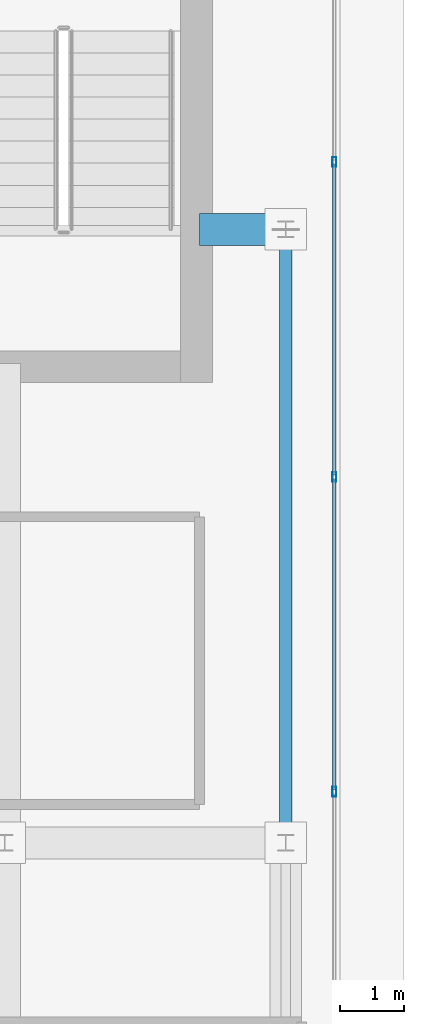
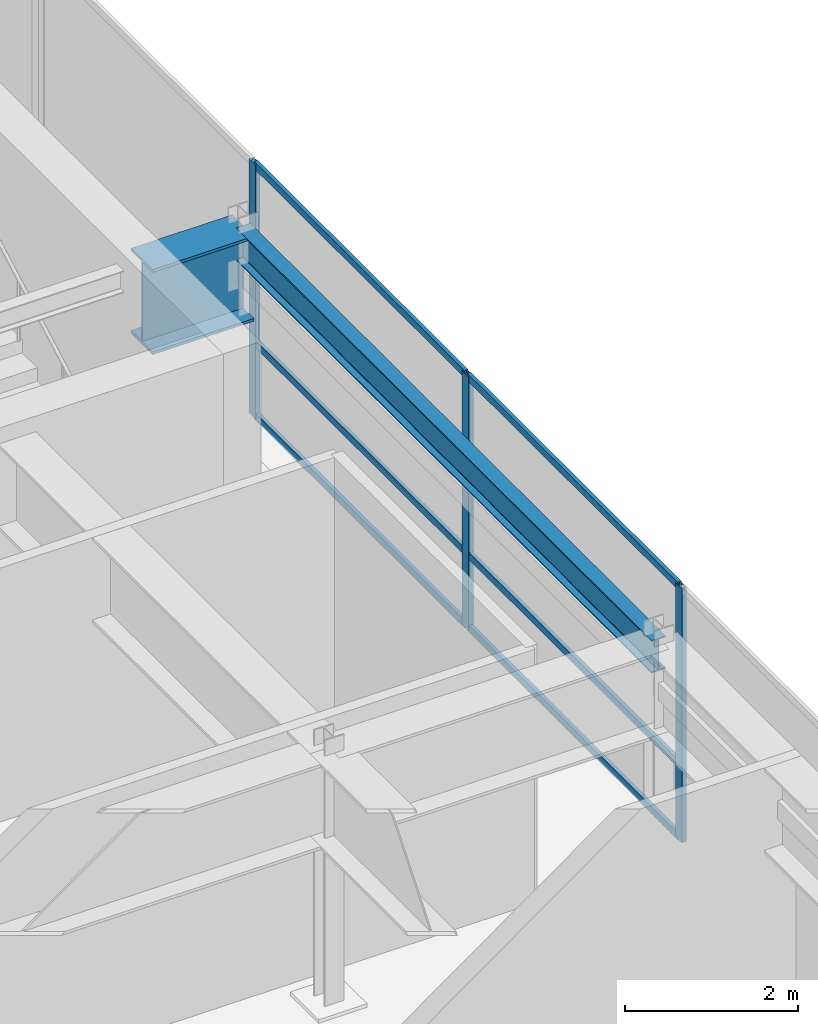
# One storey, part 22 of 35: 9 members, 2 beams, 1 element without a shape of its own.
"""IFC4 building model written with IfcOpenShell, lengths in metres."""

from ifc_helpers import new_model, si_unit, direction, frame, origin, origin_2d, place, context, subcontext, project, spatial, hollow_rectangle, i_section, extrude, source, transform, mapped, material, layer, layer_set, material_profile, profile_set, type_object, type_shapes, element, aggregate, save


model = new_model("IFC4")

# Units and contexts
model_context = context("Model", 3, precision=1e-05, world=origin(), true_north=direction((0.0, 1.0)))
body_context = subcontext(model_context, "Body", "Model", "MODEL_VIEW")
ifc_project = project(units=[si_unit("LENGTHUNIT", "METRE"), si_unit("AREAUNIT", "SQUARE_METRE"), si_unit("VOLUMEUNIT", "CUBIC_METRE"), si_unit("PLANEANGLEUNIT", "RADIAN"), si_unit("MASSUNIT", "GRAM", prefix="KILO")], contexts=[model_context])

# Site, building, storey
site_placement = place(None, origin())
site = spatial("IfcSite", under=ifc_project, at=site_placement, CompositionType="ELEMENT")
building_placement = place(site_placement, origin())
building = spatial("IfcBuilding", under=site, at=building_placement, Name="Tolvann Quenvar Hotel", CompositionType="ELEMENT")
storey_placement = place(building_placement, frame((0.0, 0.0, 290.949951171875)))
storey = spatial("IfcBuildingStorey", under=building, at=storey_placement, Name="L77", CompositionType="ELEMENT", Elevation=290.949951171875)

# Beams
ifc_material_1 = material(Name="Steel Grade 350", Category="steel")
ifc_material_profile_1 = material_profile(ifc_material_1, i_section(OverallWidth=0.19091796875, OverallDepth=0.4599609375, WebThickness=0.010009765625, FlangeThickness=0.01611328125, FilletRadius=0.011474609375, at=origin_2d()), Name="460UB82")
ifc_profile_set_1 = profile_set([ifc_material_profile_1], Name="Steel Grade 350")
beam_type_1 = type_object("IfcBeamType", Name="BM_SPAND_460UB82", PredefinedType="SPANDREL", material=ifc_profile_set_1)
shared_shape_1 = source(origin(), body_context, "Body", "SweptSolid", [
    extrude(i_section(OverallWidth=0.19091796875, OverallDepth=0.4599609375, WebThickness=0.010009765625, FlangeThickness=0.01611328125, FilletRadius=0.011474609375, at=origin_2d()), origin(), (0.0, 0.0, 1.0), 9.60009765625),
])
type_shapes(beam_type_1, [shared_shape_1])
beam_1_placement = place(storey_placement, frame((37.14990234375, 24.39990234375, 3.35009765625), z_axis=(0.0, 1.0, 0.0), x_axis=(-1.0, 0.0, 0.0)))
element("IfcBeam", 1, at=beam_1_placement, inside=storey, type_object=beam_type_1, Name="BM-L77-FLK-G1", PredefinedType="SPANDREL", context=body_context, shape_type="MappedRepresentation", body=[
    mapped(shared_shape_1, transform((0.0, 0.0, 0.0), x_axis=(1.0, 0.0, 0.0), y_axis=(0.0, 1.0, 0.0), z_axis=(0.0, 0.0, 1.0), scale=1.0)),
])
ifc_material_profile_2 = material_profile(ifc_material_1, i_section(OverallWidth=0.5, OverallDepth=1.199951171875, WebThickness=0.01611328125, FlangeThickness=0.0400390625, at=origin_2d()), Name="1200WB455")
ifc_profile_set_2 = profile_set([ifc_material_profile_2], Name="Steel Grade 350")
beam_type_2 = type_object("IfcBeamType", Name="BM_TG_1200WB455", PredefinedType="USERDEFINED", material=ifc_profile_set_2)
shared_shape_2 = source(origin(), body_context, "Body", "SweptSolid", [
    extrude(i_section(OverallWidth=0.5, OverallDepth=1.199951171875, WebThickness=0.01611328125, FlangeThickness=0.0400390625, at=origin_2d()), origin(), (0.0, 0.0, 1.0), 1.349853515625),
])
type_shapes(beam_type_2, [shared_shape_2])
beam_2_placement = place(storey_placement, frame((35.800048828125, 34.0, 2.97998046875), z_axis=(1.0, 0.0, 0.0), x_axis=(0.0, 1.0, 0.0)))
element("IfcBeam", 2, at=beam_2_placement, inside=storey, type_object=beam_type_2, Name="BM-L77-CTE-GD6", ObjectType="TRANSFER GIRDER", PredefinedType="USERDEFINED", context=body_context, shape_type="MappedRepresentation", body=[
    mapped(shared_shape_2, transform((0.0, 0.0, 0.0), x_axis=(1.0, 0.0, 0.0), y_axis=(0.0, 1.0, 0.0), z_axis=(0.0, 0.0, 1.0), scale=1.0)),
])

# Curtain wall, members
ifc_material_2 = material(Name="Thermally broken anodised architectural aluminium 6063-T6 and laminated low-E glass", Category="aluminium")
ifc_layer = layer(ifc_material_2, 0.179931640625)
ifc_layer_set = layer_set([ifc_layer], Name="Thermally broken anodised architectural aluminium 6063-T6 and laminated low-E glass")
curtain_wall_type = type_object("IfcCurtainWallType", Name="CW_SYS_LANT_06", PredefinedType="USERDEFINED", material=ifc_layer_set)
curtain_wall_placement = place(storey_placement, origin())
curtain_wall = element("IfcCurtainWall", 3, at=curtain_wall_placement, inside=storey, type_object=curtain_wall_type, Name="Curtain Wall CW-LANT-06 (CWR-L77-E09)", ObjectType="UNITISED CURTAIN WALL", PredefinedType="USERDEFINED")
ifc_material_3 = material(Name="Anodised architectural aluminium 6063-T6 framing", Category="aluminium")
ifc_material_profile_3 = material_profile(ifc_material_3, hollow_rectangle(XDim=0.06494140625, YDim=0.14990234375, WallThickness=0.00390625, at=origin_2d()), Name="150x65x4RHS")
ifc_profile_set_3 = profile_set([ifc_material_profile_3], Name="Anodised architectural aluminium 6063-T6 framing")
member_type_1 = type_object("IfcMemberType", Name="CW_MULL_150x65", PredefinedType="MULLION", material=ifc_profile_set_3)
shared_shape_3 = source(origin(), body_context, "Body", "SweptSolid", [
    extrude(hollow_rectangle(XDim=0.06494140625, YDim=0.14990234375, WallThickness=0.00390625, at=origin_2d()), origin(), (0.0, 0.0, 1.0), 3.580078125),
])
type_shapes(member_type_1, [shared_shape_3])
member_1_placement = place(storey_placement, frame((37.909912109375, 25.199951171875, 0.0), z_axis=(0.0, 0.0, 1.0), x_axis=(-1.0, 0.0, 0.0)))
member_1 = element("IfcMember", 4, at=member_1_placement, type_object=member_type_1, Name="CW-LANT-06 mullion 4", PredefinedType="MULLION", context=body_context, shape_type="MappedRepresentation", body=[
    mapped(shared_shape_3, transform((0.0, 0.0, 0.0), x_axis=(1.0, 0.0, 0.0), y_axis=(0.0, 1.0, 0.0), z_axis=(0.0, 0.0, 1.0), scale=1.0)),
])
member_2_placement = place(storey_placement, frame((37.909912109375, 30.127685546875, 0.0), z_axis=(0.0, 0.0, 1.0), x_axis=(-1.0, 0.0, 0.0)))
member_2 = element("IfcMember", 5, at=member_2_placement, type_object=member_type_1, Name="CW-LANT-06 mullion 5", PredefinedType="MULLION", context=body_context, shape_type="MappedRepresentation", body=[
    mapped(shared_shape_3, transform((0.0, 0.0, 0.0), x_axis=(1.0, 0.0, 0.0), y_axis=(0.0, 1.0, 0.0), z_axis=(0.0, 0.0, 1.0), scale=1.0)),
])
member_3_placement = place(storey_placement, frame((37.909912109375, 35.05517578125, 0.0), z_axis=(0.0, 0.0, 1.0), x_axis=(-1.0, 0.0, 0.0)))
member_3 = element("IfcMember", 6, at=member_3_placement, type_object=member_type_1, Name="CW-LANT-06 mullion 6", PredefinedType="MULLION", context=body_context, shape_type="MappedRepresentation", body=[
    mapped(shared_shape_3, transform((0.0, 0.0, 0.0), x_axis=(1.0, 0.0, 0.0), y_axis=(0.0, 1.0, 0.0), z_axis=(0.0, 0.0, 1.0), scale=1.0)),
])
ifc_material_profile_4 = material_profile(ifc_material_3, hollow_rectangle(XDim=0.050048828125, YDim=0.10009765625, WallThickness=0.0029296875, at=origin_2d()), Name="100x50x3RHS")
ifc_profile_set_4 = profile_set([ifc_material_profile_4], Name="Anodised architectural aluminium 6063-T6 framing")
member_type_2 = type_object("IfcMemberType", Name="CW_TRAN_100x50", PredefinedType="USERDEFINED", material=ifc_profile_set_4)
shared_shape_4 = source(origin(), body_context, "Body", "SweptSolid", [
    extrude(hollow_rectangle(XDim=0.050048828125, YDim=0.10009765625, WallThickness=0.0029296875, at=origin_2d()), origin(), (0.0, 0.0, 1.0), 4.86279296875),
])
member_4_placement = place(storey_placement, frame((37.909912109375, 25.232421875, 0.025146484375), z_axis=(0.0, 1.0, 0.0), x_axis=(-1.0, 0.0, 0.0)))
member_4 = element("IfcMember", 7, at=member_4_placement, type_object=member_type_2, Name="CW-LANT-06 transom 4.1", ObjectType="TRANSOM", PredefinedType="USERDEFINED", context=body_context, shape_type="MappedRepresentation", body=[
    mapped(shared_shape_4, transform((0.0, 0.0, 0.0), x_axis=(1.0, 0.0, 0.0), y_axis=(0.0, 1.0, 0.0), z_axis=(0.0, 0.0, 1.0), scale=1.0)),
])
member_5_placement = place(storey_placement, frame((37.909912109375, 25.232421875, 1.050048828125), z_axis=(0.0, 1.0, 0.0), x_axis=(-1.0, 0.0, 0.0)))
member_5 = element("IfcMember", 8, at=member_5_placement, type_object=member_type_2, Name="CW-LANT-06 transom 4.2", ObjectType="TRANSOM", PredefinedType="USERDEFINED", context=body_context, shape_type="MappedRepresentation", body=[
    mapped(shared_shape_4, transform((0.0, 0.0, 0.0), x_axis=(1.0, 0.0, 0.0), y_axis=(0.0, 1.0, 0.0), z_axis=(0.0, 0.0, 1.0), scale=1.0)),
])
member_6_placement = place(storey_placement, frame((37.909912109375, 25.232421875, 3.554931640625), z_axis=(0.0, 1.0, 0.0), x_axis=(-1.0, 0.0, 0.0)))
member_6 = element("IfcMember", 9, at=member_6_placement, type_object=member_type_2, Name="CW-LANT-06 transom 4.3", ObjectType="TRANSOM", PredefinedType="USERDEFINED", context=body_context, shape_type="MappedRepresentation", body=[
    mapped(shared_shape_4, transform((0.0, 0.0, 0.0), x_axis=(1.0, 0.0, 0.0), y_axis=(0.0, 1.0, 0.0), z_axis=(0.0, 0.0, 1.0), scale=1.0)),
])
shared_shape_5 = source(origin(), body_context, "Body", "SweptSolid", [
    extrude(hollow_rectangle(XDim=0.050048828125, YDim=0.10009765625, WallThickness=0.0029296875, at=origin_2d()), origin(), (0.0, 0.0, 1.0), 4.862548828125),
])
type_shapes(member_type_2, [shared_shape_4, shared_shape_5])
member_7_placement = place(storey_placement, frame((37.909912109375, 30.16015625, 0.025146484375), z_axis=(0.0, 1.0, 0.0), x_axis=(-1.0, 0.0, 0.0)))
member_7 = element("IfcMember", 10, at=member_7_placement, type_object=member_type_2, Name="CW-LANT-06 transom 5.1", ObjectType="TRANSOM", PredefinedType="USERDEFINED", context=body_context, shape_type="MappedRepresentation", body=[
    mapped(shared_shape_5, transform((0.0, 0.0, 0.0), x_axis=(1.0, 0.0, 0.0), y_axis=(0.0, 1.0, 0.0), z_axis=(0.0, 0.0, 1.0), scale=1.0)),
])
member_8_placement = place(storey_placement, frame((37.909912109375, 30.16015625, 1.050048828125), z_axis=(0.0, 1.0, 0.0), x_axis=(-1.0, 0.0, 0.0)))
member_8 = element("IfcMember", 11, at=member_8_placement, type_object=member_type_2, Name="CW-LANT-06 transom 5.2", ObjectType="TRANSOM", PredefinedType="USERDEFINED", context=body_context, shape_type="MappedRepresentation", body=[
    mapped(shared_shape_5, transform((0.0, 0.0, 0.0), x_axis=(1.0, 0.0, 0.0), y_axis=(0.0, 1.0, 0.0), z_axis=(0.0, 0.0, 1.0), scale=1.0)),
])
member_9_placement = place(storey_placement, frame((37.909912109375, 30.16015625, 3.554931640625), z_axis=(0.0, 1.0, 0.0), x_axis=(-1.0, 0.0, 0.0)))
member_9 = element("IfcMember", 12, at=member_9_placement, type_object=member_type_2, Name="CW-LANT-06 transom 5.3", ObjectType="TRANSOM", PredefinedType="USERDEFINED", context=body_context, shape_type="MappedRepresentation", body=[
    mapped(shared_shape_5, transform((0.0, 0.0, 0.0), x_axis=(1.0, 0.0, 0.0), y_axis=(0.0, 1.0, 0.0), z_axis=(0.0, 0.0, 1.0), scale=1.0)),
])
aggregate(curtain_wall, [member_1, member_2, member_3, member_4, member_5, member_6, member_7, member_8, member_9])

save(model, "model.ifc")
